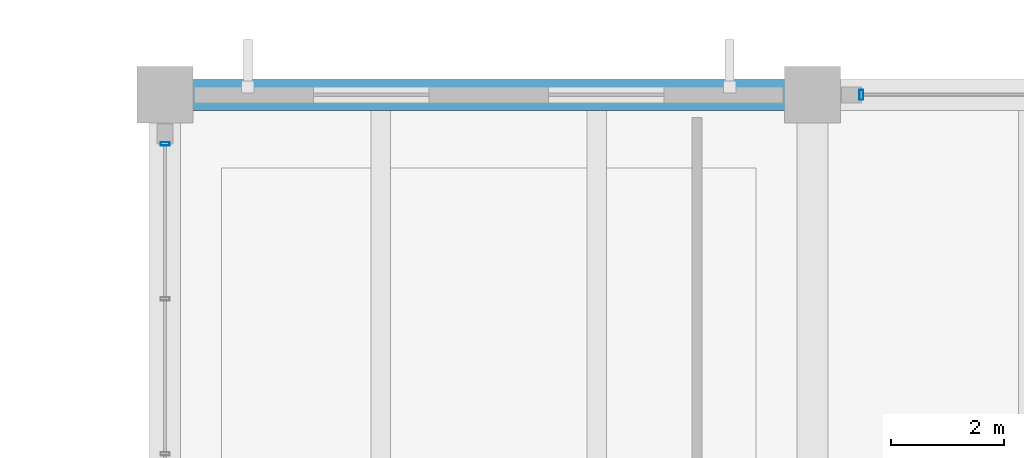
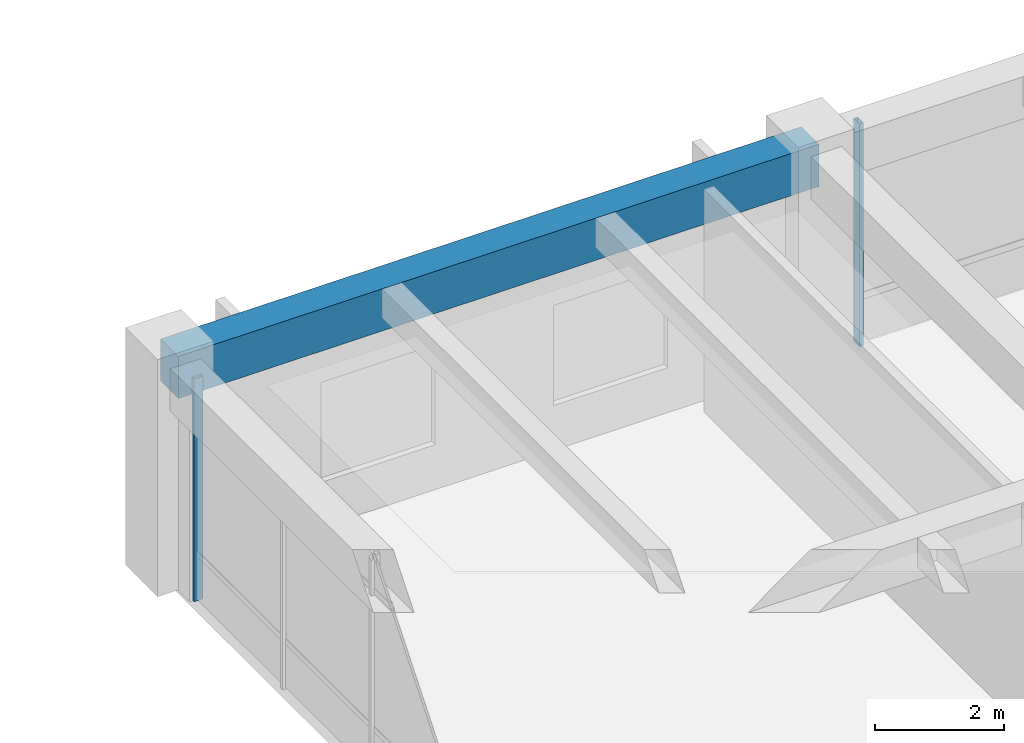
# One storey, part 93 of 154: 2 members, 1 beam, 2 elements without a shape of their own.
"""IFC4 building model written with IfcOpenShell, lengths in metres."""

from ifc_helpers import new_model, si_unit, direction, frame, origin, origin_2d, place, context, subcontext, project, spatial, rectangle, hollow_rectangle, extrude, material, material_profile, profile_set, type_object, element, aggregate, save


model = new_model("IFC4")

# Units and contexts
model_context = context("Model", 3, precision=1e-05, world=origin(), true_north=direction((0.0, 1.0)))
body_context = subcontext(model_context, "Body", "Model", "MODEL_VIEW")
ifc_project = project(units=[si_unit("LENGTHUNIT", "METRE"), si_unit("AREAUNIT", "SQUARE_METRE"), si_unit("VOLUMEUNIT", "CUBIC_METRE"), si_unit("PLANEANGLEUNIT", "RADIAN"), si_unit("MASSUNIT", "GRAM", prefix="KILO")], contexts=[model_context])

# Site, building, storey
site_placement = place(None, origin())
site = spatial("IfcSite", under=ifc_project, at=site_placement, CompositionType="ELEMENT")
building_placement = place(site_placement, origin())
building = spatial("IfcBuilding", under=site, at=building_placement, Name="Ologun Quay Terminus", CompositionType="ELEMENT")
storey_placement = place(building_placement, frame((0.0, 0.0, 13.800048828125)))
storey = spatial("IfcBuildingStorey", under=building, at=storey_placement, Name="L03", CompositionType="ELEMENT", Elevation=13.800048828125)

# Curtain wall, member
ifc_material_1 = material(Name="Aluminium 6063-T6", Category="aluminium")
curtain_wall_type_1 = type_object("IfcCurtainWallType", Name="Rain-Garden East Courtyard Curtain Wall L03 9200x4150", PredefinedType="USERDEFINED", material=ifc_material_1)
curtain_wall_1_placement = place(storey_placement, origin())
curtain_wall_1 = element("IfcCurtainWall", 1, at=curtain_wall_1_placement, inside=storey, type_object=curtain_wall_type_1, Name="CW-20 Curtain Wall CW-L03-144", ObjectType="UNITISED CURTAIN WALL", PredefinedType="USERDEFINED")
ifc_material_2 = material(Name="Aluminium 6063-T6", Category="aluminium")
ifc_material_profile_1 = material_profile(ifc_material_2, hollow_rectangle(XDim=0.06005859375, YDim=0.159912109375, WallThickness=0.00390625, at=origin_2d()), Name="ALU 160x60x4")
ifc_profile_set_1 = profile_set([ifc_material_profile_1], Name="Aluminium 6063-T6")
member_type_1 = type_object("IfcMemberType", Name="Courtyard Screen Mullion 160x65", PredefinedType="MULLION", material=ifc_profile_set_1)
member_1_placement = place(storey_placement, frame((115.0, 113.929931640625, 0.0), z_axis=(0.0, 0.0, 1.0), x_axis=(0.0, 1.0, 0.0)))
member_1 = element("IfcMember", 2, at=member_1_placement, type_object=member_type_1, Name="CW-L03-144 Mullion 4", PredefinedType="MULLION", context=body_context, shape_type="SweptSolid", body=[
    extrude(hollow_rectangle(XDim=0.06005859375, YDim=0.159912109375, WallThickness=0.00390625, at=origin_2d()), origin(), (0.0, 0.0, 1.0), 4.22998046875),
])
aggregate(curtain_wall_1, [member_1])

# Beam
ifc_material_3 = material(Name="Concrete C40/50", Category="concrete")
ifc_material_profile_2 = material_profile(ifc_material_3, rectangle(XDim=0.550048828125, YDim=0.800048828125, at=origin_2d()), Name="RC 550x800")
ifc_profile_set_2 = profile_set([ifc_material_profile_2], Name="Concrete C40/50")
beam_type = type_object("IfcBeamType", Name="Courtyard Wing Primary Girder 550x800", PredefinedType="BEAM", material=ifc_profile_set_2)
beam_placement = place(storey_placement, frame((115.0, 114.800048828125, 3.849853515625), z_axis=(1.0, 0.0, 0.0), x_axis=(0.0, 1.0, 0.0)))
element("IfcBeam", 3, at=beam_placement, inside=storey, type_object=beam_type, Name="B4 Beam 11/K L03", PredefinedType="BEAM", context=body_context, shape_type="SweptSolid", body=[
    extrude(rectangle(XDim=0.550048828125, YDim=0.800048828125, at=origin_2d()), origin(), (0.0, 0.0, 1.0), 11.5),
])

# Curtain wall, member
ifc_material_4 = material(Name="Aluminium 6063-T6", Category="aluminium")
curtain_wall_type_2 = type_object("IfcCurtainWallType", Name="Waterfront Pavilion Harbour Curtain Wall L03 10600x4150", PredefinedType="USERDEFINED", material=ifc_material_4)
curtain_wall_2_placement = place(storey_placement, origin())
curtain_wall_2 = element("IfcCurtainWall", 4, at=curtain_wall_2_placement, inside=storey, type_object=curtain_wall_type_2, Name="CW-25 Curtain Wall CW-L03-140", ObjectType="UNITISED CURTAIN WALL", PredefinedType="USERDEFINED")
ifc_material_5 = material(Name="Aluminium 6063-T6", Category="aluminium")
ifc_material_profile_3 = material_profile(ifc_material_5, hollow_rectangle(XDim=0.070068359375, YDim=0.179931640625, WallThickness=0.0048828125, at=origin_2d()), Name="ALU 180x70x5")
ifc_profile_set_3 = profile_set([ifc_material_profile_3], Name="Aluminium 6063-T6")
member_type_2 = type_object("IfcMemberType", Name="Curtain Wall Heavy Mullion 180x70", PredefinedType="MULLION", material=ifc_profile_set_3)
member_2_placement = place(storey_placement, frame((127.3701171875, 114.800048828125, 0.0), z_axis=(0.0, 0.0, 1.0), x_axis=(1.0, 0.0, 0.0)))
member_2 = element("IfcMember", 5, at=member_2_placement, type_object=member_type_2, Name="CW-L03-140 Mullion 1", PredefinedType="MULLION", context=body_context, shape_type="SweptSolid", body=[
    extrude(hollow_rectangle(XDim=0.070068359375, YDim=0.179931640625, WallThickness=0.0048828125, at=origin_2d()), origin(), (0.0, 0.0, 1.0), 4.22998046875),
])
aggregate(curtain_wall_2, [member_2])

save(model, "model.ifc")
